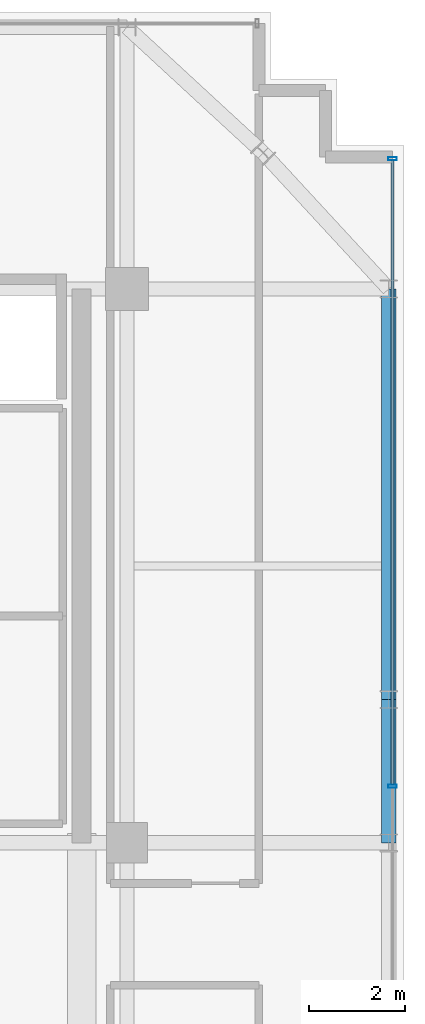
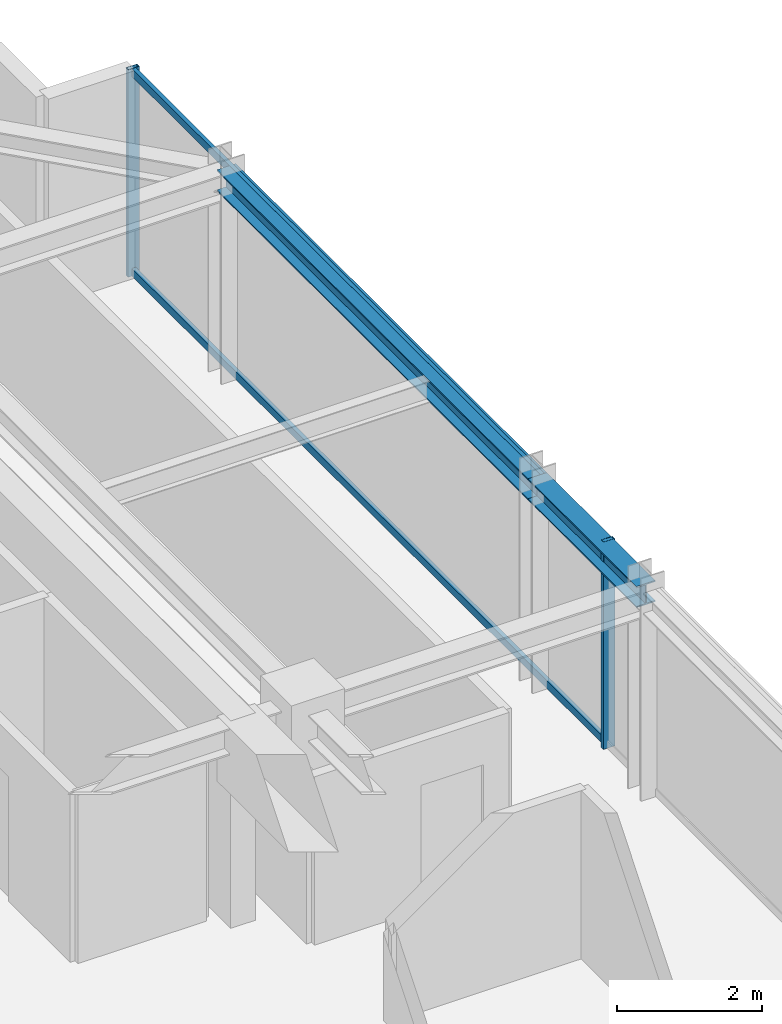
# One storey, part 22 of 31: 4 members, 2 beams, 1 element without a shape of its own.
"""IFC4 building model written with IfcOpenShell, lengths in metres."""

from ifc_helpers import new_model, si_unit, direction, frame, origin, origin_2d, place, context, subcontext, project, spatial, hollow_rectangle, i_section, extrude, source, transform, mapped, material, material_profile, profile_set, type_object, element, aggregate, save


model = new_model("IFC4")

# Units and contexts
model_context = context("Model", 3, precision=1e-05, world=origin(), true_north=direction((0.0, 1.0)))
body_context = subcontext(model_context, "Body", "Model", "MODEL_VIEW")
ifc_project = project(units=[si_unit("LENGTHUNIT", "METRE"), si_unit("AREAUNIT", "SQUARE_METRE"), si_unit("VOLUMEUNIT", "CUBIC_METRE"), si_unit("PLANEANGLEUNIT", "RADIAN"), si_unit("MASSUNIT", "GRAM", prefix="KILO")], contexts=[model_context])

# Site, building, storey
site_placement = place(None, origin())
site = spatial("IfcSite", under=ifc_project, at=site_placement, CompositionType="ELEMENT")
building_placement = place(site_placement, origin())
building = spatial("IfcBuilding", under=site, at=building_placement, Name="Nahalor Promenade Grand Hotel", CompositionType="ELEMENT")
storey_placement = place(building_placement, frame((0.0, 0.0, 323.35009765625)))
storey = spatial("IfcBuildingStorey", under=building, at=storey_placement, Name="L83", CompositionType="ELEMENT", Elevation=323.35009765625)

# Beams
ifc_material_1 = material(Name="Steel S355JR", Category="steel")
ifc_material_profile_1 = material_profile(ifc_material_1, i_section(OverallWidth=0.3, OverallDepth=0.36, WebThickness=0.0125, FlangeThickness=0.0225, at=origin_2d()), Name="HEB 360")
ifc_profile_set_1 = profile_set([ifc_material_profile_1], Name="Steel S355JR")
beam_type = type_object("IfcBeamType", Name="Beam-Spandrel-HEB360", PredefinedType="SPANDREL", material=ifc_profile_set_1)
shared_shape_1 = source(origin(), body_context, "Body", "SweptSolid", [
    extrude(i_section(OverallWidth=0.3, OverallDepth=0.36, WebThickness=0.0125, FlangeThickness=0.0225, at=origin_2d()), origin(), (0.0, 0.0, 1.0), 8.60009765625),
])
beam_1_placement = place(storey_placement, frame((22.47998046875, 8.39990234375, 3.31982421875), z_axis=(0.0, 1.0, 0.0), x_axis=(-1.0, 0.0, 0.0)))
element("IfcBeam", 1, at=beam_1_placement, inside=storey, type_object=beam_type, Name="BM-L83-SP-E-4", PredefinedType="SPANDREL", context=body_context, shape_type="MappedRepresentation", body=[
    mapped(shared_shape_1, transform((0.0, 0.0, 0.0), scale=1.0)),
])
shared_shape_2 = source(origin(), body_context, "Body", "SweptSolid", [
    extrude(i_section(OverallWidth=0.3, OverallDepth=0.36, WebThickness=0.0125, FlangeThickness=0.0225, at=origin_2d()), origin(), (0.0, 0.0, 1.0), 3.0),
])
beam_2_placement = place(storey_placement, frame((22.47998046875, 5.39990234375, 3.31982421875), z_axis=(0.0, 1.0, 0.0), x_axis=(-1.0, 0.0, 0.0)))
element("IfcBeam", 2, at=beam_2_placement, inside=storey, type_object=beam_type, Name="BM-L83-SP-E-3", PredefinedType="SPANDREL", context=body_context, shape_type="MappedRepresentation", body=[
    mapped(shared_shape_2, transform((0.0, 0.0, 0.0), scale=1.0)),
])

# Curtain wall, members
ifc_material_2 = material(Name="Anodised Bronze Aluminium EN AW-6063 T6", Category="aluminium")
curtain_wall_type = type_object("IfcCurtainWallType", Name="CW2 Typical Hotel Flush Bronze Unitised Curtain Wall", PredefinedType="USERDEFINED", material=ifc_material_2)
curtain_wall_placement = place(storey_placement, origin())
curtain_wall = element("IfcCurtainWall", 3, at=curtain_wall_placement, inside=storey, type_object=curtain_wall_type, Name="L83 Curtain Wall CW-L83-E-1", ObjectType="UNITISED_CURTAIN_WALL", PredefinedType="USERDEFINED")
ifc_material_profile_2 = material_profile(ifc_material_2, hollow_rectangle(XDim=0.065, YDim=0.13, WallThickness=0.004, at=origin_2d()), Name="CWT 65x130x4")
ifc_profile_set_2 = profile_set([ifc_material_profile_2], Name="Anodised Bronze Aluminium EN AW-6063 T6")
member_type_1 = type_object("IfcMemberType", Name="CWT2 Typical Bronze Transom 65x130", PredefinedType="USERDEFINED", material=ifc_profile_set_2)
shared_shape_3 = source(origin(), body_context, "Body", "SweptSolid", [
    extrude(hollow_rectangle(XDim=0.065, YDim=0.13, WallThickness=0.004, at=origin_2d()), origin(), (0.0, 0.0, 1.0), 13.075927734375),
])
member_1_placement = place(storey_placement, frame((22.56005859375, 6.619140625, 0.06494140625), z_axis=(0.0, 1.0, 0.0), x_axis=(-1.0, 0.0, 0.0)))
member_1 = element("IfcMember", 4, at=member_1_placement, type_object=member_type_1, Name="CW-L83-E-1 Transom 2-0", ObjectType="TRANSOM", PredefinedType="USERDEFINED", context=body_context, shape_type="MappedRepresentation", body=[
    mapped(shared_shape_3, transform((0.0, 0.0, 0.0), scale=1.0)),
])
member_2_placement = place(storey_placement, frame((22.56005859375, 6.619140625, 3.434814453125), z_axis=(0.0, 1.0, 0.0), x_axis=(-1.0, 0.0, 0.0)))
member_2 = element("IfcMember", 5, at=member_2_placement, type_object=member_type_1, Name="CW-L83-E-1 Transom 2-1", ObjectType="TRANSOM", PredefinedType="USERDEFINED", context=body_context, shape_type="MappedRepresentation", body=[
    mapped(shared_shape_3, transform((0.0, 0.0, 0.0), scale=1.0)),
])
ifc_material_profile_3 = material_profile(ifc_material_2, hollow_rectangle(XDim=0.065, YDim=0.18, WallThickness=0.004, at=origin_2d()), Name="CWM 65x180x4")
ifc_profile_set_3 = profile_set([ifc_material_profile_3], Name="Anodised Bronze Aluminium EN AW-6063 T6")
member_type_2 = type_object("IfcMemberType", Name="CWM2 Typical Bronze Mullion 65x180", PredefinedType="MULLION", material=ifc_profile_set_3)
shared_shape_4 = source(origin(), body_context, "Body", "SweptSolid", [
    extrude(hollow_rectangle(XDim=0.065, YDim=0.18, WallThickness=0.004, at=origin_2d()), origin(), (0.0, 0.0, 1.0), 3.5),
])
member_3_placement = place(storey_placement, frame((22.56005859375, 6.586669921875, 0.0), z_axis=(0.0, 0.0, 1.0), x_axis=(0.0, 1.0, 0.0)))
member_3 = element("IfcMember", 6, at=member_3_placement, type_object=member_type_2, Name="CW-L83-E-1 Mullion 2", PredefinedType="MULLION", context=body_context, shape_type="MappedRepresentation", body=[
    mapped(shared_shape_4, transform((0.0, 0.0, 0.0), scale=1.0)),
])
member_4_placement = place(storey_placement, frame((22.56005859375, 19.7275390625, 0.0), z_axis=(0.0, 0.0, 1.0), x_axis=(0.0, 1.0, 0.0)))
member_4 = element("IfcMember", 7, at=member_4_placement, type_object=member_type_2, Name="CW-L83-E-1 Mullion 3", PredefinedType="MULLION", context=body_context, shape_type="MappedRepresentation", body=[
    mapped(shared_shape_4, transform((0.0, 0.0, 0.0), scale=1.0)),
])
aggregate(curtain_wall, [member_3, member_4, member_1, member_2])

save(model, "model.ifc")
